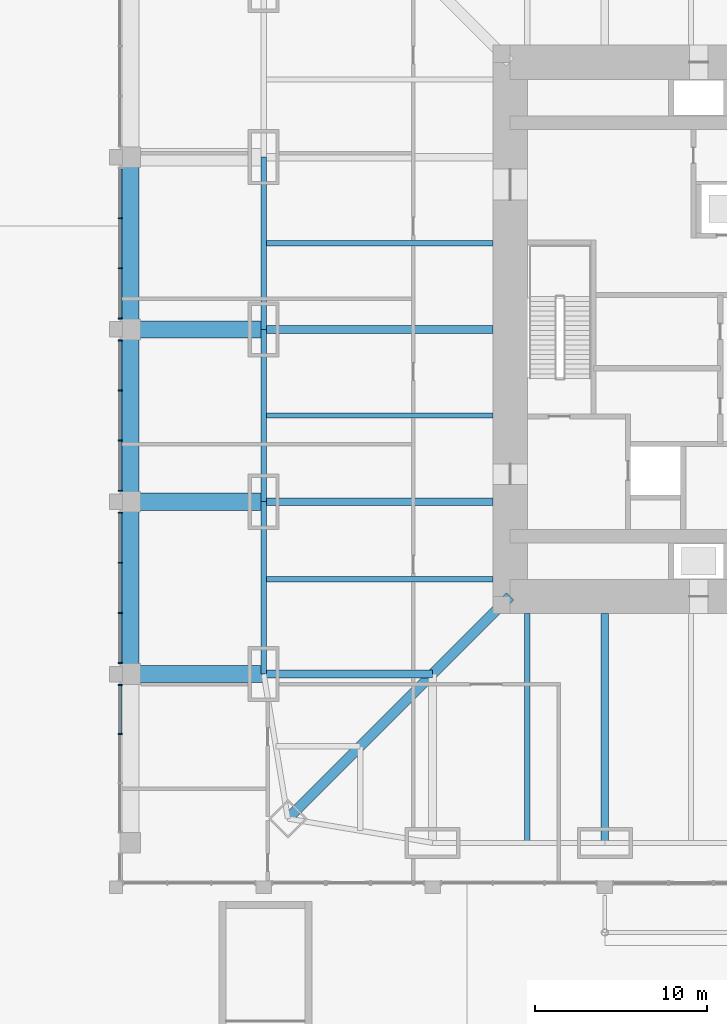
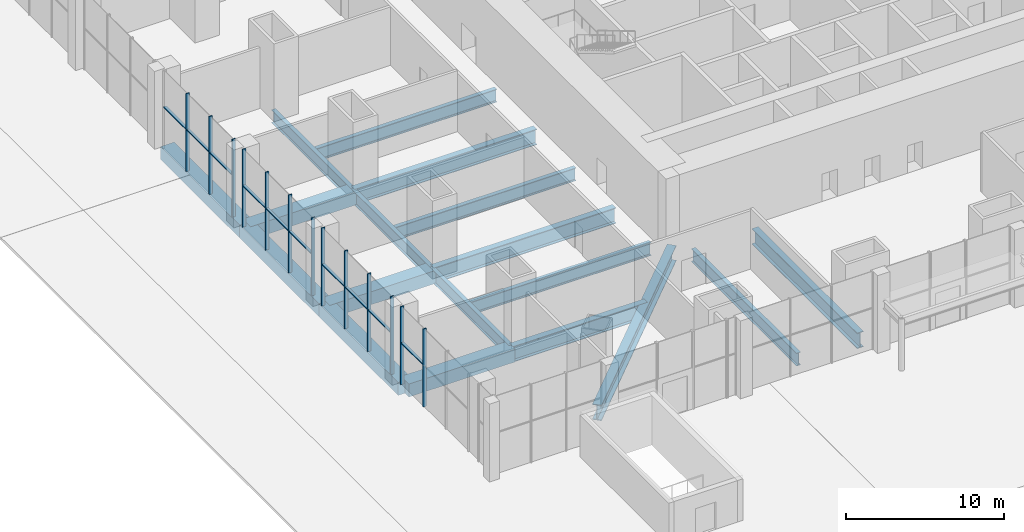
# One storey, part 8 of 31: 23 members, 18 beams, 4 elements without a shape of their own.
"""IFC4 building model written with IfcOpenShell, lengths in metres."""

from ifc_helpers import new_model, si_unit, direction, frame, origin, origin_2d, place, context, subcontext, project, spatial, rectangle, i_section, extrude, material, material_profile, profile_set, type_object, element, aggregate, save


model = new_model("IFC4")

# Units and contexts
model_context = context("Model", 3, precision=1e-05, world=origin(), true_north=direction((0.0, 1.0)))
body_context = subcontext(model_context, "Body", "Model", "MODEL_VIEW")
ifc_project = project(units=[si_unit("LENGTHUNIT", "METRE"), si_unit("AREAUNIT", "SQUARE_METRE"), si_unit("VOLUMEUNIT", "CUBIC_METRE"), si_unit("PLANEANGLEUNIT", "RADIAN"), si_unit("MASSUNIT", "GRAM", prefix="KILO")], contexts=[model_context])

# Site, building, storey
site_placement = place(None, origin())
site = spatial("IfcSite", under=ifc_project, at=site_placement, CompositionType="ELEMENT")
building_placement = place(site_placement, origin())
building = spatial("IfcBuilding", under=site, at=building_placement, Name="Khuree Lantern Residences", CompositionType="ELEMENT")
storey_placement = place(building_placement, origin())
storey = spatial("IfcBuildingStorey", under=building, at=storey_placement, Name="L00", CompositionType="ELEMENT", Elevation=0.0)

# Beams
ifc_material_1 = material(Name="Steel S355", Category="steel")
ifc_material_profile_1 = material_profile(ifc_material_1, i_section(OverallWidth=0.300048828125, OverallDepth=1.0, WebThickness=0.01904296875, FlangeThickness=0.035888671875, FilletRadius=0.030029296875, at=origin_2d()), Name="HE 1000 B")
ifc_profile_set_1 = profile_set([ifc_material_profile_1], Name="Steel S355")
beam_type_1 = type_object("IfcBeamType", Name="B-00 SECONDARY BEAM HE 1000 B", PredefinedType="BEAM", material=ifc_profile_set_1)
for number, where, z_axis, x_axis, name in (
    (1, (-14.5, -29.800048828125, -0.800048828125), (0.0, 1.0, 0.0), (-1.0, 0.0, 0.0), "Secondary beam S5"),
    (2, (-29.800048828125, -14.5, -0.800048828125), (1.0, 0.0, 0.0), (0.0, 1.0, 0.0), "Secondary beam W2"),
    (3, (-29.800048828125, -5.0, -0.800048828125), (1.0, 0.0, 0.0), (0.0, 1.0, 0.0), "Secondary beam W3"),
    (4, (-29.800048828125, 5.0, -0.800048828125), (1.0, 0.0, 0.0), (0.0, 1.0, 0.0), "Secondary beam W4"),
):
    element("IfcBeam", number, at=place(storey_placement, frame(where, z_axis=z_axis, x_axis=x_axis)), inside=storey, type_object=beam_type_1, Name=name, PredefinedType="BEAM", context=body_context, shape_type="SweptSolid", body=[
        extrude(i_section(OverallWidth=0.300048828125, OverallDepth=1.0, WebThickness=0.01904296875, FlangeThickness=0.035888671875, FilletRadius=0.030029296875, at=origin_2d()), origin(), (0.0, 0.0, 1.0), 13.300048828125),
    ])
ifc_material_profile_2 = material_profile(ifc_material_1, i_section(OverallWidth=0.300048828125, OverallDepth=1.0, WebThickness=0.01904296875, FlangeThickness=0.035888671875, FilletRadius=0.030029296875, at=origin_2d()), Name="HE 1000 B")
ifc_profile_set_2 = profile_set([ifc_material_profile_2], Name="Steel S355")
beam_type_2 = type_object("IfcBeamType", Name="E-00 SPANDREL BEAM HE 1000 B", PredefinedType="SPANDREL", material=ifc_profile_set_2)
for number, where, z_axis, x_axis, name in (
    (5, (-29.800048828125, -20.0, -0.800048828125), (0.0, 1.0, 0.0), (-1.0, 0.0, 0.0), "Spandrel beam W2"),
    (6, (-29.800048828125, -10.0, -0.800048828125), (0.0, 1.0, 0.0), (-1.0, 0.0, 0.0), "Spandrel beam W3"),
    (7, (-29.800048828125, 0.0, -0.800048828125), (0.0, 1.0, 0.0), (-1.0, 0.0, 0.0), "Spandrel beam W4"),
):
    element("IfcBeam", number, at=place(storey_placement, frame(where, z_axis=z_axis, x_axis=x_axis)), inside=storey, type_object=beam_type_2, Name=name, PredefinedType="SPANDREL", context=body_context, shape_type="SweptSolid", body=[
        extrude(i_section(OverallWidth=0.300048828125, OverallDepth=1.0, WebThickness=0.01904296875, FlangeThickness=0.035888671875, FilletRadius=0.030029296875, at=origin_2d()), origin(), (0.0, 0.0, 1.0), 10.0),
    ])
ifc_material_profile_3 = material_profile(ifc_material_1, i_section(OverallWidth=0.449951171875, OverallDepth=1.199951171875, WebThickness=0.02490234375, FlangeThickness=0.044921875, at=origin_2d()), Name="WELDED I 1200X450X25X45")
ifc_profile_set_3 = profile_set([ifc_material_profile_3], Name="Steel S355")
beam_type_3 = type_object("IfcBeamType", Name="G-00 GIRDER WELDED I 1200X450X25X45", PredefinedType="BEAM", material=ifc_profile_set_3)
beam_1_placement = place(storey_placement, frame((-10.0, -29.800048828125, -0.89990234375), z_axis=(0.0, 1.0, 0.0), x_axis=(-1.0, 0.0, 0.0)))
element("IfcBeam", 8, at=beam_1_placement, inside=storey, type_object=beam_type_3, Name="Girder S4", PredefinedType="BEAM", context=body_context, shape_type="SweptSolid", body=[
    extrude(i_section(OverallWidth=0.449951171875, OverallDepth=1.199951171875, WebThickness=0.02490234375, FlangeThickness=0.044921875, at=origin_2d()), origin(), (0.0, 0.0, 1.0), 13.300048828125),
])
beam_2_placement = place(storey_placement, frame((-29.800048828125, -20.0, -0.89990234375), z_axis=(1.0, 0.0, 0.0), x_axis=(0.0, 1.0, 0.0)))
element("IfcBeam", 9, at=beam_2_placement, inside=storey, type_object=beam_type_3, Name="Girder W1", PredefinedType="BEAM", context=body_context, shape_type="SweptSolid", body=[
    extrude(i_section(OverallWidth=0.449951171875, OverallDepth=1.199951171875, WebThickness=0.02490234375, FlangeThickness=0.044921875, at=origin_2d()), origin(), (0.0, 0.0, 1.0), 9.800048828125),
])
for number, where, z_axis, x_axis, name in (
    (10, (-29.800048828125, -10.0, -0.89990234375), (1.0, 0.0, 0.0), (0.0, 1.0, 0.0), "Girder W2"),
    (11, (-29.800048828125, 0.0, -0.89990234375), (1.0, 0.0, 0.0), (0.0, 1.0, 0.0), "Girder W3"),
):
    element("IfcBeam", number, at=place(storey_placement, frame(where, z_axis=z_axis, x_axis=x_axis)), inside=storey, type_object=beam_type_3, Name=name, PredefinedType="BEAM", context=body_context, shape_type="SweptSolid", body=[
        extrude(i_section(OverallWidth=0.449951171875, OverallDepth=1.199951171875, WebThickness=0.02490234375, FlangeThickness=0.044921875, at=origin_2d()), origin(), (0.0, 0.0, 1.0), 13.300048828125),
    ])
ifc_material_profile_4 = material_profile(ifc_material_1, i_section(OverallWidth=0.60009765625, OverallDepth=1.199951171875, WebThickness=0.030029296875, FlangeThickness=0.06005859375, at=origin_2d()), Name="WELDED I 1200X600X30X60")
ifc_profile_set_4 = profile_set([ifc_material_profile_4], Name="Steel S355")
beam_type_4 = type_object("IfcBeamType", Name="GD-00 CORNER GIRDER WELDED I 1200X600X30X60", PredefinedType="BEAM", material=ifc_profile_set_4)
beam_3_placement = place(storey_placement, frame((-28.39404296875, -28.39404296875, -0.89990234375), z_axis=(0.707106781187, 0.707106781187, 0.0), x_axis=(-0.707106781187, 0.707106781187, 0.0)))
element("IfcBeam", 12, at=beam_3_placement, inside=storey, type_object=beam_type_4, Name="Corner girder SW", PredefinedType="BEAM", context=body_context, shape_type="SweptSolid", body=[
    extrude(i_section(OverallWidth=0.60009765625, OverallDepth=1.199951171875, WebThickness=0.030029296875, FlangeThickness=0.06005859375, at=origin_2d()), origin(), (0.0, 0.0, 1.0), 18.23486328125),
])

# Curtain wall, members
ifc_material_2 = material(Name="Bronze anodised aluminium", Category="aluminium")
curtain_wall_type = type_object("IfcCurtainWallType", Name="CW-P PODIUM STOREFRONT CURTAIN WALL", PredefinedType="USERDEFINED", material=ifc_material_2)
curtain_wall_1_placement = place(storey_placement, origin())
curtain_wall_1 = element("IfcCurtainWall", 13, at=curtain_wall_1_placement, inside=storey, type_object=curtain_wall_type, Name="L00 WEST FACE BAY 5 STOREFRONT", ObjectType="Storefront curtain wall", PredefinedType="USERDEFINED")
ifc_material_profile_5 = material_profile(ifc_material_2, rectangle(XDim=0.074951171875, YDim=0.25, at=origin_2d()), Name="M5 75X250")
ifc_profile_set_5 = profile_set([ifc_material_profile_5], Name="Bronze anodised aluminium")
member_type_1 = type_object("IfcMemberType", Name="MULLION M5 STOREFRONT 75X250", PredefinedType="MULLION", material=ifc_profile_set_5)
member_1_placement = place(storey_placement, frame((-38.125, 6.4541015625, 0.0), z_axis=(0.0, 0.0, 1.0), x_axis=(0.0, -1.0, 0.0)))
member_1 = element("IfcMember", 14, at=member_1_placement, type_object=member_type_1, Name="L00 WEST FACE BAY 5 MULLION 2", PredefinedType="MULLION", context=body_context, shape_type="SweptSolid", body=[
    extrude(rectangle(XDim=0.074951171875, YDim=0.25, at=origin_2d()), origin(), (0.0, 0.0, 1.0), 6.0),
])
member_2_placement = place(storey_placement, frame((-38.125, 3.5458984375, 0.0), z_axis=(0.0, 0.0, 1.0), x_axis=(0.0, -1.0, 0.0)))
member_2 = element("IfcMember", 15, at=member_2_placement, type_object=member_type_1, Name="L00 WEST FACE BAY 5 MULLION 3", PredefinedType="MULLION", context=body_context, shape_type="SweptSolid", body=[
    extrude(rectangle(XDim=0.074951171875, YDim=0.25, at=origin_2d()), origin(), (0.0, 0.0, 1.0), 6.0),
])
member_3_placement = place(storey_placement, frame((-38.125, 0.637451171875, 0.0), z_axis=(0.0, 0.0, 1.0), x_axis=(0.0, -1.0, 0.0)))
member_3 = element("IfcMember", 16, at=member_3_placement, type_object=member_type_1, Name="L00 WEST FACE BAY 5 MULLION 4", PredefinedType="MULLION", context=body_context, shape_type="SweptSolid", body=[
    extrude(rectangle(XDim=0.074951171875, YDim=0.25, at=origin_2d()), origin(), (0.0, 0.0, 1.0), 6.0),
])

curtain_wall_2_placement = place(storey_placement, origin())
curtain_wall_2 = element("IfcCurtainWall", 17, at=curtain_wall_2_placement, inside=storey, type_object=curtain_wall_type, Name="L00 WEST FACE BAY 6 STOREFRONT", ObjectType="Storefront curtain wall", PredefinedType="USERDEFINED")
member_4_placement = place(storey_placement, frame((-38.125, -0.637451171875, 0.0), z_axis=(0.0, 0.0, 1.0), x_axis=(0.0, -1.0, 0.0)))
member_4 = element("IfcMember", 18, at=member_4_placement, type_object=member_type_1, Name="L00 WEST FACE BAY 6 MULLION 1", PredefinedType="MULLION", context=body_context, shape_type="SweptSolid", body=[
    extrude(rectangle(XDim=0.074951171875, YDim=0.25, at=origin_2d()), origin(), (0.0, 0.0, 1.0), 6.0),
])
member_5_placement = place(storey_placement, frame((-38.125, -3.5458984375, 0.0), z_axis=(0.0, 0.0, 1.0), x_axis=(0.0, -1.0, 0.0)))
member_5 = element("IfcMember", 19, at=member_5_placement, type_object=member_type_1, Name="L00 WEST FACE BAY 6 MULLION 2", PredefinedType="MULLION", context=body_context, shape_type="SweptSolid", body=[
    extrude(rectangle(XDim=0.074951171875, YDim=0.25, at=origin_2d()), origin(), (0.0, 0.0, 1.0), 6.0),
])
member_6_placement = place(storey_placement, frame((-38.125, -6.4541015625, 0.0), z_axis=(0.0, 0.0, 1.0), x_axis=(0.0, -1.0, 0.0)))
member_6 = element("IfcMember", 20, at=member_6_placement, type_object=member_type_1, Name="L00 WEST FACE BAY 6 MULLION 3", PredefinedType="MULLION", context=body_context, shape_type="SweptSolid", body=[
    extrude(rectangle(XDim=0.074951171875, YDim=0.25, at=origin_2d()), origin(), (0.0, 0.0, 1.0), 6.0),
])
member_7_placement = place(storey_placement, frame((-38.125, -9.362548828125, 0.0), z_axis=(0.0, 0.0, 1.0), x_axis=(0.0, -1.0, 0.0)))
member_7 = element("IfcMember", 21, at=member_7_placement, type_object=member_type_1, Name="L00 WEST FACE BAY 6 MULLION 4", PredefinedType="MULLION", context=body_context, shape_type="SweptSolid", body=[
    extrude(rectangle(XDim=0.074951171875, YDim=0.25, at=origin_2d()), origin(), (0.0, 0.0, 1.0), 6.0),
])

curtain_wall_3_placement = place(storey_placement, origin())
curtain_wall_3 = element("IfcCurtainWall", 22, at=curtain_wall_3_placement, inside=storey, type_object=curtain_wall_type, Name="L00 WEST FACE BAY 7 STOREFRONT", ObjectType="Storefront curtain wall", PredefinedType="USERDEFINED")
member_8_placement = place(storey_placement, frame((-38.125, -10.637451171875, 0.0), z_axis=(0.0, 0.0, 1.0), x_axis=(0.0, -1.0, 0.0)))
member_8 = element("IfcMember", 23, at=member_8_placement, type_object=member_type_1, Name="L00 WEST FACE BAY 7 MULLION 1", PredefinedType="MULLION", context=body_context, shape_type="SweptSolid", body=[
    extrude(rectangle(XDim=0.074951171875, YDim=0.25, at=origin_2d()), origin(), (0.0, 0.0, 1.0), 6.0),
])
member_9_placement = place(storey_placement, frame((-38.125, -13.5458984375, 0.0), z_axis=(0.0, 0.0, 1.0), x_axis=(0.0, -1.0, 0.0)))
member_9 = element("IfcMember", 24, at=member_9_placement, type_object=member_type_1, Name="L00 WEST FACE BAY 7 MULLION 2", PredefinedType="MULLION", context=body_context, shape_type="SweptSolid", body=[
    extrude(rectangle(XDim=0.074951171875, YDim=0.25, at=origin_2d()), origin(), (0.0, 0.0, 1.0), 6.0),
])
member_10_placement = place(storey_placement, frame((-38.125, -16.4541015625, 0.0), z_axis=(0.0, 0.0, 1.0), x_axis=(0.0, -1.0, 0.0)))
member_10 = element("IfcMember", 25, at=member_10_placement, type_object=member_type_1, Name="L00 WEST FACE BAY 7 MULLION 3", PredefinedType="MULLION", context=body_context, shape_type="SweptSolid", body=[
    extrude(rectangle(XDim=0.074951171875, YDim=0.25, at=origin_2d()), origin(), (0.0, 0.0, 1.0), 6.0),
])
member_11_placement = place(storey_placement, frame((-38.125, -19.362548828125, 0.0), z_axis=(0.0, 0.0, 1.0), x_axis=(0.0, -1.0, 0.0)))
member_11 = element("IfcMember", 26, at=member_11_placement, type_object=member_type_1, Name="L00 WEST FACE BAY 7 MULLION 4", PredefinedType="MULLION", context=body_context, shape_type="SweptSolid", body=[
    extrude(rectangle(XDim=0.074951171875, YDim=0.25, at=origin_2d()), origin(), (0.0, 0.0, 1.0), 6.0),
])

curtain_wall_4_placement = place(storey_placement, origin())
curtain_wall_4 = element("IfcCurtainWall", 27, at=curtain_wall_4_placement, inside=storey, type_object=curtain_wall_type, Name="L00 WEST FACE BAY 8 STOREFRONT", ObjectType="Storefront curtain wall", PredefinedType="USERDEFINED")
member_12_placement = place(storey_placement, frame((-38.125, -20.637451171875, 0.0), z_axis=(0.0, 0.0, 1.0), x_axis=(0.0, -1.0, 0.0)))
member_12 = element("IfcMember", 28, at=member_12_placement, type_object=member_type_1, Name="L00 WEST FACE BAY 8 MULLION 1", PredefinedType="MULLION", context=body_context, shape_type="SweptSolid", body=[
    extrude(rectangle(XDim=0.074951171875, YDim=0.25, at=origin_2d()), origin(), (0.0, 0.0, 1.0), 6.0),
])
member_13_placement = place(storey_placement, frame((-38.125, -23.479248046875, 0.0), z_axis=(0.0, 0.0, 1.0), x_axis=(0.0, -1.0, 0.0)))
member_13 = element("IfcMember", 29, at=member_13_placement, type_object=member_type_1, Name="L00 WEST FACE BAY 8 MULLION 2", PredefinedType="MULLION", context=body_context, shape_type="SweptSolid", body=[
    extrude(rectangle(XDim=0.074951171875, YDim=0.25, at=origin_2d()), origin(), (0.0, 0.0, 1.0), 6.0),
])

# Beams
ifc_material_3 = material(Name="Concrete C40/50", Category="concrete")
ifc_material_profile_6 = material_profile(ifc_material_3, rectangle(XDim=1.0, YDim=1.0, at=origin_2d()), Name="RC 1000X1000")
ifc_profile_set_6 = profile_set([ifc_material_profile_6], Name="Concrete C40/50")
beam_type_5 = type_object("IfcBeamType", Name="RB3 PODIUM BEAM RC 1000X1000", PredefinedType="BEAM", material=ifc_profile_set_6)
for number, where, z_axis, x_axis, name in (
    (30, (-37.550048828125, -20.0, -0.800048828125), (1.0, 0.0, 0.0), (0.0, 1.0, 0.0), "Podium beam RB-20"),
    (31, (-37.550048828125, -10.0, -0.800048828125), (1.0, 0.0, 0.0), (0.0, 1.0, 0.0), "Podium beam RB-24"),
    (32, (-37.550048828125, 0.0, -0.800048828125), (1.0, 0.0, 0.0), (0.0, 1.0, 0.0), "Podium beam RB-28"),
):
    element("IfcBeam", number, at=place(storey_placement, frame(where, z_axis=z_axis, x_axis=x_axis)), inside=storey, type_object=beam_type_5, Name=name, PredefinedType="BEAM", context=body_context, shape_type="SweptSolid", body=[
        extrude(rectangle(XDim=1.0, YDim=1.0, at=origin_2d()), origin(), (0.0, 0.0, 1.0), 7.75),
    ])
for number, where, z_axis, x_axis, name in (
    (33, (-37.550048828125, -20.0, -0.800048828125), (0.0, 1.0, 0.0), (-1.0, 0.0, 0.0), "Podium beam RB-57"),
    (34, (-37.550048828125, -10.0, -0.800048828125), (0.0, 1.0, 0.0), (-1.0, 0.0, 0.0), "Podium beam RB-58"),
    (35, (-37.550048828125, 0.0, -0.800048828125), (0.0, 1.0, 0.0), (-1.0, 0.0, 0.0), "Podium beam RB-59"),
):
    element("IfcBeam", number, at=place(storey_placement, frame(where, z_axis=z_axis, x_axis=x_axis)), inside=storey, type_object=beam_type_5, Name=name, PredefinedType="BEAM", context=body_context, shape_type="SweptSolid", body=[
        extrude(rectangle(XDim=1.0, YDim=1.0, at=origin_2d()), origin(), (0.0, 0.0, 1.0), 10.0),
    ])

# Member
ifc_material_profile_7 = material_profile(ifc_material_2, rectangle(XDim=0.199951171875, YDim=0.074951171875, at=origin_2d()), Name="T5 200X75")
ifc_profile_set_7 = profile_set([ifc_material_profile_7], Name="Bronze anodised aluminium")
member_type_2 = type_object("IfcMemberType", Name="TRANSOM T5 STOREFRONT 200X75", PredefinedType="USERDEFINED", material=ifc_profile_set_7)
member_14_placement = place(storey_placement, frame((-38.1201171875, 9.324951171875, 3.199951171875), z_axis=(0.0, -1.0, 0.0), x_axis=(1.0, 0.0, 0.0)))
member_14 = element("IfcMember", 36, at=member_14_placement, type_object=member_type_2, Name="L00 WEST FACE BAY 5 TRANSOM 1", ObjectType="Transom", PredefinedType="USERDEFINED", context=body_context, shape_type="SweptSolid", body=[
    extrude(rectangle(XDim=0.199951171875, YDim=0.074951171875, at=origin_2d()), origin(), (0.0, 0.0, 1.0), 2.833251953125),
])

member_15_placement = place(storey_placement, frame((-38.1201171875, 6.416748046875, 3.199951171875), z_axis=(0.0, -1.0, 0.0), x_axis=(1.0, 0.0, 0.0)))
member_15 = element("IfcMember", 37, at=member_15_placement, type_object=member_type_2, Name="L00 WEST FACE BAY 5 TRANSOM 2", ObjectType="Transom", PredefinedType="USERDEFINED", context=body_context, shape_type="SweptSolid", body=[
    extrude(rectangle(XDim=0.199951171875, YDim=0.074951171875, at=origin_2d()), origin(), (0.0, 0.0, 1.0), 2.83349609375),
])

member_16_placement = place(storey_placement, frame((-38.1201171875, 3.50830078125, 3.199951171875), z_axis=(0.0, -1.0, 0.0), x_axis=(1.0, 0.0, 0.0)))
member_16 = element("IfcMember", 38, at=member_16_placement, type_object=member_type_2, Name="L00 WEST FACE BAY 5 TRANSOM 3", ObjectType="Transom", PredefinedType="USERDEFINED", context=body_context, shape_type="SweptSolid", body=[
    extrude(rectangle(XDim=0.199951171875, YDim=0.074951171875, at=origin_2d()), origin(), (0.0, 0.0, 1.0), 2.833251953125),
])

aggregate(curtain_wall_1, [member_1, member_2, member_3, member_14, member_15, member_16])

member_17_placement = place(storey_placement, frame((-38.1201171875, -0.675048828125, 3.199951171875), z_axis=(0.0, -1.0, 0.0), x_axis=(1.0, 0.0, 0.0)))
member_17 = element("IfcMember", 39, at=member_17_placement, type_object=member_type_2, Name="L00 WEST FACE BAY 6 TRANSOM 1", ObjectType="Transom", PredefinedType="USERDEFINED", context=body_context, shape_type="SweptSolid", body=[
    extrude(rectangle(XDim=0.199951171875, YDim=0.074951171875, at=origin_2d()), origin(), (0.0, 0.0, 1.0), 2.833251953125),
])

member_18_placement = place(storey_placement, frame((-38.1201171875, -3.583251953125, 3.199951171875), z_axis=(0.0, -1.0, 0.0), x_axis=(1.0, 0.0, 0.0)))
member_18 = element("IfcMember", 40, at=member_18_placement, type_object=member_type_2, Name="L00 WEST FACE BAY 6 TRANSOM 2", ObjectType="Transom", PredefinedType="USERDEFINED", context=body_context, shape_type="SweptSolid", body=[
    extrude(rectangle(XDim=0.199951171875, YDim=0.074951171875, at=origin_2d()), origin(), (0.0, 0.0, 1.0), 2.83349609375),
])

member_19_placement = place(storey_placement, frame((-38.1201171875, -6.49169921875, 3.199951171875), z_axis=(0.0, -1.0, 0.0), x_axis=(1.0, 0.0, 0.0)))
member_19 = element("IfcMember", 41, at=member_19_placement, type_object=member_type_2, Name="L00 WEST FACE BAY 6 TRANSOM 3", ObjectType="Transom", PredefinedType="USERDEFINED", context=body_context, shape_type="SweptSolid", body=[
    extrude(rectangle(XDim=0.199951171875, YDim=0.074951171875, at=origin_2d()), origin(), (0.0, 0.0, 1.0), 2.833251953125),
])

aggregate(curtain_wall_2, [member_4, member_5, member_6, member_7, member_17, member_18, member_19])

member_20_placement = place(storey_placement, frame((-38.1201171875, -10.675048828125, 3.199951171875), z_axis=(0.0, -1.0, 0.0), x_axis=(1.0, 0.0, 0.0)))
member_20 = element("IfcMember", 42, at=member_20_placement, type_object=member_type_2, Name="L00 WEST FACE BAY 7 TRANSOM 1", ObjectType="Transom", PredefinedType="USERDEFINED", context=body_context, shape_type="SweptSolid", body=[
    extrude(rectangle(XDim=0.199951171875, YDim=0.074951171875, at=origin_2d()), origin(), (0.0, 0.0, 1.0), 2.833251953125),
])

member_21_placement = place(storey_placement, frame((-38.1201171875, -13.583251953125, 3.199951171875), z_axis=(0.0, -1.0, 0.0), x_axis=(1.0, 0.0, 0.0)))
member_21 = element("IfcMember", 43, at=member_21_placement, type_object=member_type_2, Name="L00 WEST FACE BAY 7 TRANSOM 2", ObjectType="Transom", PredefinedType="USERDEFINED", context=body_context, shape_type="SweptSolid", body=[
    extrude(rectangle(XDim=0.199951171875, YDim=0.074951171875, at=origin_2d()), origin(), (0.0, 0.0, 1.0), 2.83349609375),
])

member_22_placement = place(storey_placement, frame((-38.1201171875, -16.49169921875, 3.199951171875), z_axis=(0.0, -1.0, 0.0), x_axis=(1.0, 0.0, 0.0)))
member_22 = element("IfcMember", 44, at=member_22_placement, type_object=member_type_2, Name="L00 WEST FACE BAY 7 TRANSOM 3", ObjectType="Transom", PredefinedType="USERDEFINED", context=body_context, shape_type="SweptSolid", body=[
    extrude(rectangle(XDim=0.199951171875, YDim=0.074951171875, at=origin_2d()), origin(), (0.0, 0.0, 1.0), 2.833251953125),
])

aggregate(curtain_wall_3, [member_8, member_9, member_10, member_11, member_20, member_21, member_22])

member_23_placement = place(storey_placement, frame((-38.1201171875, -20.675048828125, 3.199951171875), z_axis=(0.0, -1.0, 0.0), x_axis=(1.0, 0.0, 0.0)))
member_23 = element("IfcMember", 45, at=member_23_placement, type_object=member_type_2, Name="L00 WEST FACE BAY 8 TRANSOM 1", ObjectType="Transom", PredefinedType="USERDEFINED", context=body_context, shape_type="SweptSolid", body=[
    extrude(rectangle(XDim=0.199951171875, YDim=0.074951171875, at=origin_2d()), origin(), (0.0, 0.0, 1.0), 2.7666015625),
])

aggregate(curtain_wall_4, [member_12, member_13, member_23])

save(model, "model.ifc")
